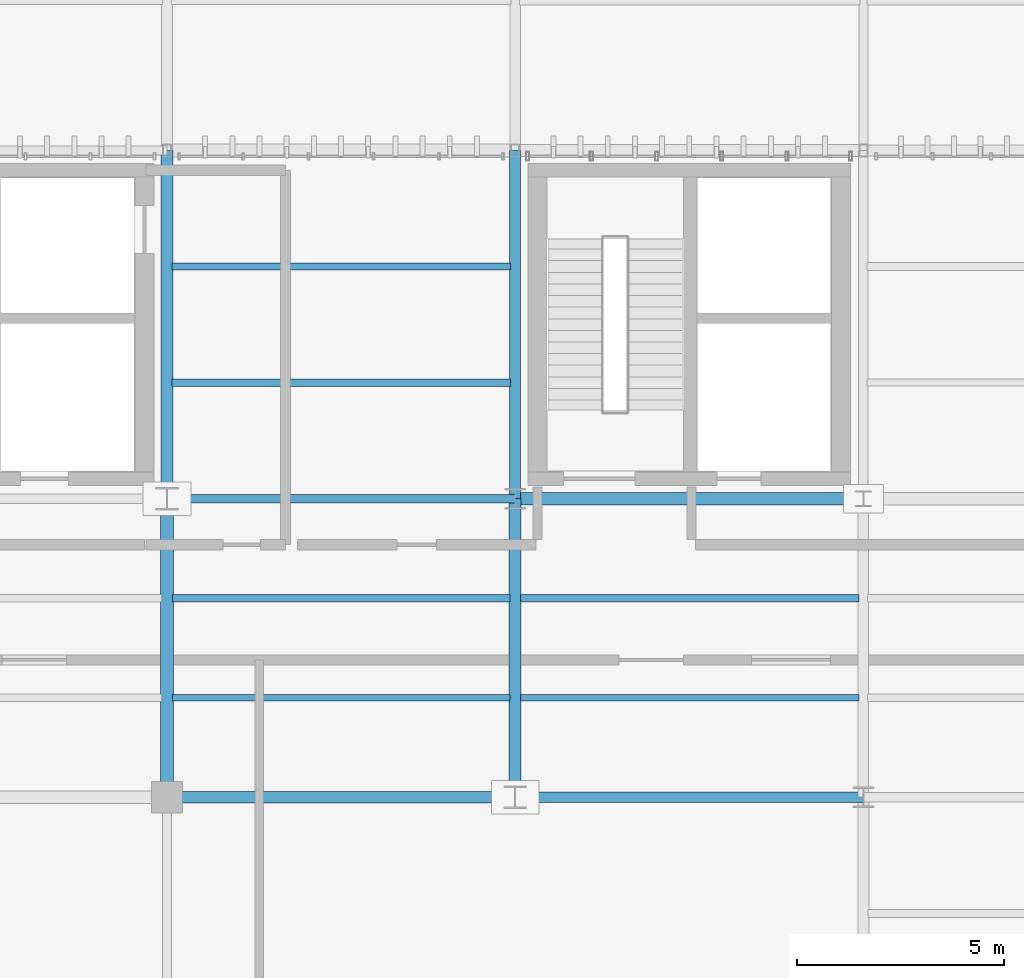
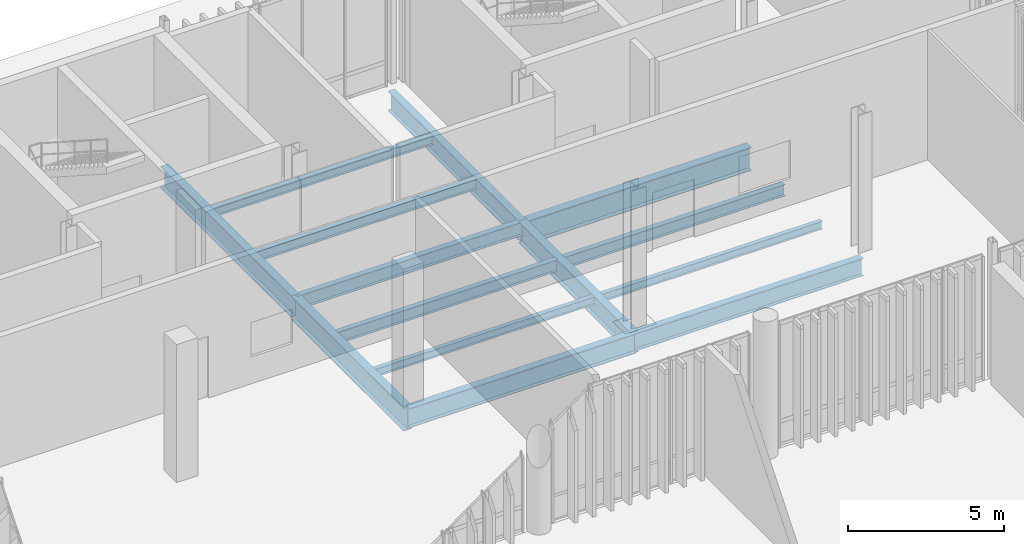
# One storey, part 27 of 112: 14 beams.
"""IFC4 building model written with IfcOpenShell, lengths in metres."""

from ifc_helpers import new_model, si_unit, direction, frame, origin_with_axes, origin_2d_with_axis, place, context, subcontext, project, spatial, i_section, extrude, material, material_profile, profile_set, type_object, element, save


model = new_model("IFC4")

# Units and contexts
model_context = context("Model", 3, precision=1e-05, world=origin_with_axes(), true_north=direction((0.0, 1.0)))
body_context = subcontext(model_context, "Body", "Model", "MODEL_VIEW")
ifc_project = project(units=[si_unit("LENGTHUNIT", "METRE"), si_unit("AREAUNIT", "SQUARE_METRE"), si_unit("VOLUMEUNIT", "CUBIC_METRE"), si_unit("PLANEANGLEUNIT", "RADIAN"), si_unit("MASSUNIT", "GRAM", prefix="KILO"), si_unit("THERMODYNAMICTEMPERATUREUNIT", "KELVIN")], contexts=[model_context])

# Site, building, storey
site_placement = place(None, origin_with_axes())
site = spatial("IfcSite", under=ifc_project, at=site_placement, CompositionType="ELEMENT")
building_placement = place(site_placement, origin_with_axes())
building = spatial("IfcBuilding", under=site, at=building_placement, Name="Montbau Bow Law Courts", CompositionType="ELEMENT")
storey_placement = place(building_placement, origin_with_axes())
storey = spatial("IfcBuildingStorey", under=building, at=storey_placement, Name="L00", CompositionType="ELEMENT", Elevation=0.0)

# Beams
ifc_material = material(Name="Steel CSA G40.21 Grade 350W (350 MPa)", Category="steel")
ifc_material_profile_1 = material_profile(ifc_material, i_section(OverallWidth=0.306, OverallDepth=0.919, WebThickness=0.0173, FlangeThickness=0.0279, at=origin_2d_with_axis()), Name="W920X253", Category="Main", Priority=0)
ifc_profile_set_1 = profile_set([ifc_material_profile_1], Name="Steel CSA G40.21 Grade 350W (350 MPa)")
beam_type_1 = type_object("IfcBeamType", Name="B-FLR-01", PredefinedType="BEAM", material=ifc_profile_set_1)
beam_1_placement = place(None, frame((30.6, 46.2, -0.8), z_axis=(1.0, 0.0, 0.0), x_axis=(0.0, 1.0, 0.0)))
element("IfcBeam", 1, at=beam_1_placement, inside=storey, type_object=beam_type_1, Name="BM-L00-S0200:bm2_0203", PredefinedType="BEAM", context=body_context, shape_type="SweptSolid", body=[
    extrude(i_section(OverallWidth=0.306, OverallDepth=0.919, WebThickness=0.0173, FlangeThickness=0.0279, at=origin_2d_with_axis()), origin_with_axes(), (0.0, 0.0, 1.0), 8.4),
])
beam_2_placement = place(None, frame((22.2, 39.0, -0.8), z_axis=(0.0, 1.0, 0.0), x_axis=(-1.0, 0.0, 0.0)))
element("IfcBeam", 2, at=beam_2_placement, inside=storey, type_object=beam_type_1, Name="BM-L00-S0251:bm2_0254", PredefinedType="BEAM", context=body_context, shape_type="SweptSolid", body=[
    extrude(i_section(OverallWidth=0.306, OverallDepth=0.919, WebThickness=0.0173, FlangeThickness=0.0279, at=origin_2d_with_axis()), origin_with_axes(), (0.0, 0.0, 1.0), 7.2),
])
ifc_material_profile_2 = material_profile(ifc_material, i_section(OverallWidth=0.293, OverallDepth=0.846, WebThickness=0.0154, FlangeThickness=0.0244, at=origin_2d_with_axis()), Name="W840X210", Category="Main", Priority=0)
ifc_profile_set_2 = profile_set([ifc_material_profile_2], Name="Steel CSA G40.21 Grade 350W (350 MPa)")
beam_type_2 = type_object("IfcBeamType", Name="B-FLR-02", PredefinedType="BEAM", material=ifc_profile_set_2)
beam_3_placement = place(None, frame((22.2, 46.2, -0.763), z_axis=(0.0, 1.0, 0.0), x_axis=(-1.0, 0.0, 0.0)))
element("IfcBeam", 3, at=beam_3_placement, inside=storey, type_object=beam_type_2, Name="BM-L00-S0252:bm2_0255", PredefinedType="BEAM", context=body_context, shape_type="SweptSolid", body=[
    extrude(i_section(OverallWidth=0.293, OverallDepth=0.846, WebThickness=0.0154, FlangeThickness=0.0244, at=origin_2d_with_axis()), origin_with_axes(), (0.0, 0.0, 1.0), 8.4),
])
beam_4_placement = place(None, frame((30.6, 39.0, -0.763), z_axis=(0.0, 1.0, 0.0), x_axis=(-1.0, 0.0, 0.0)))
element("IfcBeam", 4, at=beam_4_placement, inside=storey, type_object=beam_type_2, Name="BM-L00-S0257:bm2_0260", PredefinedType="BEAM", context=body_context, shape_type="SweptSolid", body=[
    extrude(i_section(OverallWidth=0.293, OverallDepth=0.846, WebThickness=0.0154, FlangeThickness=0.0244, at=origin_2d_with_axis()), origin_with_axes(), (0.0, 0.0, 1.0), 7.2),
])
ifc_material_profile_3 = material_profile(ifc_material, i_section(OverallWidth=0.267, OverallDepth=0.766, WebThickness=0.0149, FlangeThickness=0.0236, at=origin_2d_with_axis()), Name="W760X185", Category="Main", Priority=0)
ifc_profile_set_3 = profile_set([ifc_material_profile_3], Name="Steel CSA G40.21 Grade 350W (350 MPa)")
beam_type_3 = type_object("IfcBeamType", Name="B-FLR-03", PredefinedType="BEAM", material=ifc_profile_set_3)
for number, where, z_axis, x_axis, name in (
    (5, (22.2, 39.0, -0.723), (1.0, 0.0, 0.0), (0.0, 1.0, 0.0), "BM-L00-S0185:bm2_0188"),
    (6, (30.6, 46.2, -0.723), (0.0, 1.0, 0.0), (-1.0, 0.0, 0.0), "BM-L00-S0258:bm2_0261"),
):
    element("IfcBeam", number, at=place(None, frame(where, z_axis=z_axis, x_axis=x_axis)), inside=storey, type_object=beam_type_3, Name=name, PredefinedType="BEAM", context=body_context, shape_type="SweptSolid", body=[
        extrude(i_section(OverallWidth=0.267, OverallDepth=0.766, WebThickness=0.0149, FlangeThickness=0.0236, at=origin_2d_with_axis()), origin_with_axes(), (0.0, 0.0, 1.0), 8.4),
    ])
ifc_material_profile_4 = material_profile(ifc_material, i_section(OverallWidth=0.254, OverallDepth=0.688, WebThickness=0.0131, FlangeThickness=0.0211, at=origin_2d_with_axis()), Name="W690X152", Category="Main", Priority=0)
ifc_profile_set_4 = profile_set([ifc_material_profile_4], Name="Steel CSA G40.21 Grade 350W (350 MPa)")
beam_type_4 = type_object("IfcBeamType", Name="B-FLR-04", PredefinedType="BEAM", material=ifc_profile_set_4)
beam_5_placement = place(None, frame((30.6, 39.0, -0.684), z_axis=(1.0, 0.0, 0.0), x_axis=(0.0, 1.0, 0.0)))
element("IfcBeam", 7, at=beam_5_placement, inside=storey, type_object=beam_type_4, Name="BM-L00-S0186:bm2_0189", PredefinedType="BEAM", context=body_context, shape_type="SweptSolid", body=[
    extrude(i_section(OverallWidth=0.254, OverallDepth=0.688, WebThickness=0.0131, FlangeThickness=0.0211, at=origin_2d_with_axis()), origin_with_axes(), (0.0, 0.0, 1.0), 8.4),
])
ifc_material_profile_5 = material_profile(ifc_material, i_section(OverallWidth=0.21, OverallDepth=0.537, WebThickness=0.0109, FlangeThickness=0.0174, at=origin_2d_with_axis()), Name="W530X101", Category="Main", Priority=0)
ifc_profile_set_5 = profile_set([ifc_material_profile_5], Name="Steel CSA G40.21 Grade 350W (350 MPa)")
beam_type_5 = type_object("IfcBeamType", Name="B-FLR-06", PredefinedType="BEAM", material=ifc_profile_set_5)
beam_6_placement = place(None, frame((22.2, 46.2, -0.609), z_axis=(1.0, 0.0, 0.0), x_axis=(0.0, 1.0, 0.0)))
element("IfcBeam", 8, at=beam_6_placement, inside=storey, type_object=beam_type_5, Name="BM-L00-S0199:bm2_0202", PredefinedType="BEAM", context=body_context, shape_type="SweptSolid", body=[
    extrude(i_section(OverallWidth=0.21, OverallDepth=0.537, WebThickness=0.0109, FlangeThickness=0.0174, at=origin_2d_with_axis()), origin_with_axes(), (0.0, 0.0, 1.0), 8.4),
])
ifc_material_profile_6 = material_profile(ifc_material, i_section(OverallWidth=0.191, OverallDepth=0.46, WebThickness=0.0099, FlangeThickness=0.016, at=origin_2d_with_axis()), Name="W460X82", Category="Main", Priority=0)
ifc_profile_set_6 = profile_set([ifc_material_profile_6], Name="Steel CSA G40.21 Grade 350W (350 MPa)")
beam_type_6 = type_object("IfcBeamType", Name="B-JST-01", PredefinedType="JOIST", material=ifc_profile_set_6)
beam_7_placement = place(None, frame((22.329, 43.8, -0.57), z_axis=(1.0, 0.0, 0.0), x_axis=(0.0, 1.0, 0.0)))
element("IfcBeam", 9, at=beam_7_placement, inside=storey, type_object=beam_type_6, Name="JST-L00-S0020:jst2_0020", PredefinedType="JOIST", context=body_context, shape_type="SweptSolid", body=[
    extrude(i_section(OverallWidth=0.191, OverallDepth=0.46, WebThickness=0.0099, FlangeThickness=0.016, at=origin_2d_with_axis()), origin_with_axes(), (0.0, 0.0, 1.0), 8.149),
])
beam_8_placement = place(None, frame((30.723, 43.8, -0.57), z_axis=(1.0, 0.0, 0.0), x_axis=(0.0, 1.0, 0.0)))
element("IfcBeam", 10, at=beam_8_placement, inside=storey, type_object=beam_type_6, Name="JST-L00-S0028:jst2_0028", PredefinedType="JOIST", context=body_context, shape_type="SweptSolid", body=[
    extrude(i_section(OverallWidth=0.191, OverallDepth=0.46, WebThickness=0.0099, FlangeThickness=0.016, at=origin_2d_with_axis()), origin_with_axes(), (0.0, 0.0, 1.0), 8.174),
])
ifc_material_profile_7 = material_profile(ifc_material, i_section(OverallWidth=0.179, OverallDepth=0.41, WebThickness=0.0088, FlangeThickness=0.0144, at=origin_2d_with_axis()), Name="W410X67", Category="Main", Priority=0)
ifc_profile_set_7 = profile_set([ifc_material_profile_7], Name="Steel CSA G40.21 Grade 350W (350 MPa)")
beam_type_7 = type_object("IfcBeamType", Name="B-JST-02", PredefinedType="JOIST", material=ifc_profile_set_7)
beam_9_placement = place(None, frame((22.322, 49.0, -0.545), z_axis=(1.0, 0.0, 0.0), x_axis=(0.0, 1.0, 0.0)))
element("IfcBeam", 11, at=beam_9_placement, inside=storey, type_object=beam_type_7, Name="JST-L00-S0021:jst2_0021", PredefinedType="JOIST", context=body_context, shape_type="SweptSolid", body=[
    extrude(i_section(OverallWidth=0.179, OverallDepth=0.41, WebThickness=0.0088, FlangeThickness=0.0144, at=origin_2d_with_axis()), origin_with_axes(), (0.0, 0.0, 1.0), 8.169),
])
ifc_material_profile_8 = material_profile(ifc_material, i_section(OverallWidth=0.172, OverallDepth=0.358, WebThickness=0.0079, FlangeThickness=0.0131, at=origin_2d_with_axis()), Name="W360X57", Category="Main", Priority=0)
ifc_profile_set_8 = profile_set([ifc_material_profile_8], Name="Steel CSA G40.21 Grade 350W (350 MPa)")
beam_type_8 = type_object("IfcBeamType", Name="B-JST-03", PredefinedType="JOIST", material=ifc_profile_set_8)
beam_10_placement = place(None, frame((22.322, 51.8, -0.519), z_axis=(1.0, 0.0, 0.0), x_axis=(0.0, 1.0, 0.0)))
element("IfcBeam", 12, at=beam_10_placement, inside=storey, type_object=beam_type_8, Name="JST-L00-S0022:jst2_0022", PredefinedType="JOIST", context=body_context, shape_type="SweptSolid", body=[
    extrude(i_section(OverallWidth=0.172, OverallDepth=0.358, WebThickness=0.0079, FlangeThickness=0.0131, at=origin_2d_with_axis()), origin_with_axes(), (0.0, 0.0, 1.0), 8.169),
])
ifc_material_profile_9 = material_profile(ifc_material, i_section(OverallWidth=0.166, OverallDepth=0.313, WebThickness=0.0066, FlangeThickness=0.0112, at=origin_2d_with_axis()), Name="W310X45", Category="Main", Priority=0)
ifc_profile_set_9 = profile_set([ifc_material_profile_9], Name="Steel CSA G40.21 Grade 350W (350 MPa)")
beam_type_9 = type_object("IfcBeamType", Name="B-JST-04", PredefinedType="JOIST", material=ifc_profile_set_9)
beam_11_placement = place(None, frame((22.329, 41.4, -0.497), z_axis=(1.0, 0.0, 0.0), x_axis=(0.0, 1.0, 0.0)))
element("IfcBeam", 13, at=beam_11_placement, inside=storey, type_object=beam_type_9, Name="JST-L00-S0019:jst2_0019", PredefinedType="JOIST", context=body_context, shape_type="SweptSolid", body=[
    extrude(i_section(OverallWidth=0.166, OverallDepth=0.313, WebThickness=0.0066, FlangeThickness=0.0112, at=origin_2d_with_axis()), origin_with_axes(), (0.0, 0.0, 1.0), 8.149),
])
beam_12_placement = place(None, frame((30.723, 41.4, -0.497), z_axis=(1.0, 0.0, 0.0), x_axis=(0.0, 1.0, 0.0)))
element("IfcBeam", 14, at=beam_12_placement, inside=storey, type_object=beam_type_9, Name="JST-L00-S0027:jst2_0027", PredefinedType="JOIST", context=body_context, shape_type="SweptSolid", body=[
    extrude(i_section(OverallWidth=0.166, OverallDepth=0.313, WebThickness=0.0066, FlangeThickness=0.0112, at=origin_2d_with_axis()), origin_with_axes(), (0.0, 0.0, 1.0), 8.174),
])

save(model, "model.ifc")
